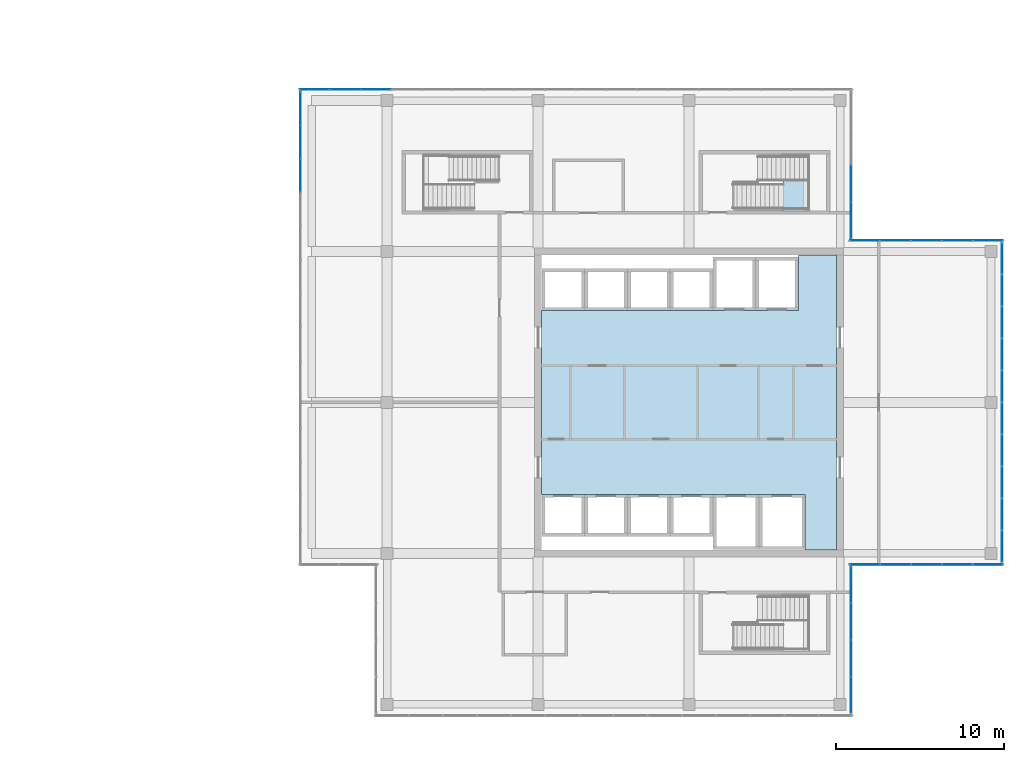
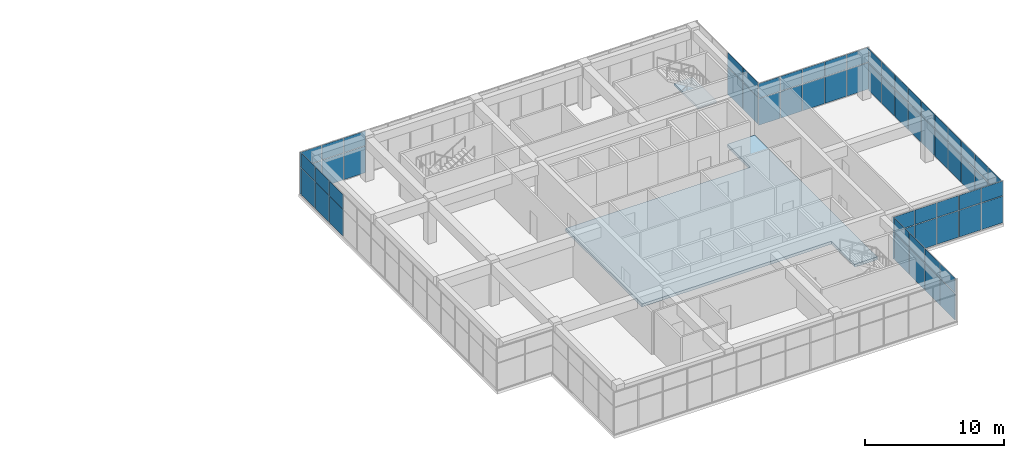
# One storey, part 35 of 43: 64 plates, 2 slabs, 8 elements without a shape of their own.
"""IFC4 building model written with IfcOpenShell, lengths in metres."""

from ifc_helpers import new_model, si_unit, direction, frame, origin, origin_2d, place, context, subcontext, project, spatial, polyline, rectangle, outline, extrude, material, layer, layer_set, type_object, element, aggregate, save


model = new_model("IFC4")

# Units and contexts
model_context = context("Model", 3, precision=1e-05, world=origin(), true_north=direction((0.0, 1.0)))
body_context = subcontext(model_context, "Body", "Model", "MODEL_VIEW")
ifc_project = project(units=[si_unit("LENGTHUNIT", "METRE"), si_unit("AREAUNIT", "SQUARE_METRE"), si_unit("VOLUMEUNIT", "CUBIC_METRE"), si_unit("PLANEANGLEUNIT", "RADIAN"), si_unit("MASSUNIT", "GRAM", prefix="KILO")], contexts=[model_context])

# Site, building, storey
site_placement = place(None, origin())
site = spatial("IfcSite", under=ifc_project, at=site_placement, CompositionType="ELEMENT")
building_placement = place(site_placement, origin())
building = spatial("IfcBuilding", under=site, at=building_placement, Name="Tuart Plaza Theatre", CompositionType="ELEMENT")
storey_placement = place(building_placement, frame((0.0, 0.0, 33.5)))
storey = spatial("IfcBuildingStorey", under=building, at=storey_placement, Name="L08", CompositionType="ELEMENT", Elevation=33.5)

# Curtain wall, plates
ifc_material_1 = material(Name="Aluminium and glass", Category="aluminium")
ifc_layer_1 = layer(ifc_material_1, 0.10009765625)
ifc_layer_set_1 = layer_set([ifc_layer_1], Name="CURTAIN WALL 2000 module")
curtain_wall_type_1 = type_object("IfcCurtainWallType", Name="CURTAIN WALL 2000 module", PredefinedType="NOTDEFINED", material=ifc_layer_set_1)
curtain_wall_1_placement = place(storey_placement, origin())
curtain_wall_1 = element("IfcCurtainWall", 1, at=curtain_wall_1_placement, inside=storey, type_object=curtain_wall_type_1, Name="CW90", PredefinedType="NOTDEFINED")
ifc_material_2 = material(Name="Glass", Category="glass")
ifc_layer_2 = layer(ifc_material_2, 0.028076171875)
ifc_layer_set_2 = layer_set([ifc_layer_2], Name="CURTAIN PANEL double glazed 28")
plate_type = type_object("IfcPlateType", Name="CURTAIN PANEL double glazed 28", PredefinedType="CURTAIN_PANEL", material=ifc_layer_set_2)
plate_1_placement = place(storey_placement, frame((141.64990234375, 56.5625, 0.0498046875), z_axis=(0.0, 0.0, 1.0), x_axis=(0.0, 1.0, 0.0)))
plate_1 = element("IfcPlate", 2, at=plate_1_placement, type_object=plate_type, Name="CW90 panel 1.1", PredefinedType="CURTAIN_PANEL", context=body_context, shape_type="SweptSolid", body=[
    extrude(rectangle(XDim=2.125, YDim=0.028076171875, at=origin_2d()), origin(), (0.0, 0.0, 1.0), 2.324951171875),
])
plate_2_placement = place(storey_placement, frame((141.64990234375, 56.5625, 2.425048828125), z_axis=(0.0, 0.0, 1.0), x_axis=(0.0, 1.0, 0.0)))
plate_2 = element("IfcPlate", 3, at=plate_2_placement, type_object=plate_type, Name="CW90 panel 1.2", PredefinedType="CURTAIN_PANEL", context=body_context, shape_type="SweptSolid", body=[
    extrude(rectangle(XDim=2.125, YDim=0.028076171875, at=origin_2d()), origin(), (0.0, 0.0, 1.0), 1.27490234375),
])
plate_3_placement = place(storey_placement, frame((141.64990234375, 58.75, 0.0498046875), z_axis=(0.0, 0.0, 1.0), x_axis=(0.0, 1.0, 0.0)))
plate_3 = element("IfcPlate", 4, at=plate_3_placement, type_object=plate_type, Name="CW90 panel 2.1", PredefinedType="CURTAIN_PANEL", context=body_context, shape_type="SweptSolid", body=[
    extrude(rectangle(XDim=2.14990234375, YDim=0.028076171875, at=origin_2d()), origin(), (0.0, 0.0, 1.0), 2.324951171875),
])
plate_4_placement = place(storey_placement, frame((141.64990234375, 58.75, 2.425048828125), z_axis=(0.0, 0.0, 1.0), x_axis=(0.0, 1.0, 0.0)))
plate_4 = element("IfcPlate", 5, at=plate_4_placement, type_object=plate_type, Name="CW90 panel 2.2", PredefinedType="CURTAIN_PANEL", context=body_context, shape_type="SweptSolid", body=[
    extrude(rectangle(XDim=2.14990234375, YDim=0.028076171875, at=origin_2d()), origin(), (0.0, 0.0, 1.0), 1.27490234375),
])
plate_5_placement = place(storey_placement, frame((141.64990234375, 60.949951171875, 0.0498046875), z_axis=(0.0, 0.0, 1.0), x_axis=(0.0, 1.0, 0.0)))
plate_5 = element("IfcPlate", 6, at=plate_5_placement, type_object=plate_type, Name="CW90 panel 3.1", PredefinedType="CURTAIN_PANEL", context=body_context, shape_type="SweptSolid", body=[
    extrude(rectangle(XDim=2.14990234375, YDim=0.028076171875, at=origin_2d()), origin(), (0.0, 0.0, 1.0), 2.324951171875),
])
plate_6_placement = place(storey_placement, frame((141.64990234375, 60.949951171875, 2.425048828125), z_axis=(0.0, 0.0, 1.0), x_axis=(0.0, 1.0, 0.0)))
plate_6 = element("IfcPlate", 7, at=plate_6_placement, type_object=plate_type, Name="CW90 panel 3.2", PredefinedType="CURTAIN_PANEL", context=body_context, shape_type="SweptSolid", body=[
    extrude(rectangle(XDim=2.14990234375, YDim=0.028076171875, at=origin_2d()), origin(), (0.0, 0.0, 1.0), 1.27490234375),
])
plate_7_placement = place(storey_placement, frame((141.64990234375, 63.137451171875, 0.0498046875), z_axis=(0.0, 0.0, 1.0), x_axis=(0.0, 1.0, 0.0)))
plate_7 = element("IfcPlate", 8, at=plate_7_placement, type_object=plate_type, Name="CW90 panel 4.1", PredefinedType="CURTAIN_PANEL", context=body_context, shape_type="SweptSolid", body=[
    extrude(rectangle(XDim=2.125, YDim=0.028076171875, at=origin_2d()), origin(), (0.0, 0.0, 1.0), 2.324951171875),
])
plate_8_placement = place(storey_placement, frame((141.64990234375, 63.137451171875, 2.425048828125), z_axis=(0.0, 0.0, 1.0), x_axis=(0.0, 1.0, 0.0)))
plate_8 = element("IfcPlate", 9, at=plate_8_placement, type_object=plate_type, Name="CW90 panel 4.2", PredefinedType="CURTAIN_PANEL", context=body_context, shape_type="SweptSolid", body=[
    extrude(rectangle(XDim=2.125, YDim=0.028076171875, at=origin_2d()), origin(), (0.0, 0.0, 1.0), 1.27490234375),
])
aggregate(curtain_wall_1, [plate_1, plate_2, plate_3, plate_4, plate_5, plate_6, plate_7, plate_8])

curtain_wall_2_placement = place(storey_placement, origin())
curtain_wall_2 = element("IfcCurtainWall", 10, at=curtain_wall_2_placement, inside=storey, type_object=curtain_wall_type_1, Name="CW91", PredefinedType="NOTDEFINED")
plate_9_placement = place(storey_placement, frame((142.482421875, 64.35009765625, 0.0498046875), z_axis=(0.0, 0.0, 1.0), x_axis=(1.0, 0.0, 0.0)))
plate_9 = element("IfcPlate", 11, at=plate_9_placement, type_object=plate_type, Name="CW91 panel 1.1", PredefinedType="CURTAIN_PANEL", context=body_context, shape_type="SweptSolid", body=[
    extrude(rectangle(XDim=1.764892578125, YDim=0.028076171875, at=origin_2d()), origin(), (0.0, 0.0, 1.0), 2.324951171875),
])
plate_10_placement = place(storey_placement, frame((142.482421875, 64.35009765625, 2.425048828125), z_axis=(0.0, 0.0, 1.0), x_axis=(1.0, 0.0, 0.0)))
plate_10 = element("IfcPlate", 12, at=plate_10_placement, type_object=plate_type, Name="CW91 panel 1.2", PredefinedType="CURTAIN_PANEL", context=body_context, shape_type="SweptSolid", body=[
    extrude(rectangle(XDim=1.764892578125, YDim=0.028076171875, at=origin_2d()), origin(), (0.0, 0.0, 1.0), 1.27490234375),
])
plate_11_placement = place(storey_placement, frame((144.31005859375, 64.35009765625, 0.0498046875), z_axis=(0.0, 0.0, 1.0), x_axis=(1.0, 0.0, 0.0)))
plate_11 = element("IfcPlate", 13, at=plate_11_placement, type_object=plate_type, Name="CW91 panel 2.1", PredefinedType="CURTAIN_PANEL", context=body_context, shape_type="SweptSolid", body=[
    extrude(rectangle(XDim=1.7900390625, YDim=0.028076171875, at=origin_2d()), origin(), (0.0, 0.0, 1.0), 2.324951171875),
])
plate_12_placement = place(storey_placement, frame((144.31005859375, 64.35009765625, 2.425048828125), z_axis=(0.0, 0.0, 1.0), x_axis=(1.0, 0.0, 0.0)))
plate_12 = element("IfcPlate", 14, at=plate_12_placement, type_object=plate_type, Name="CW91 panel 2.2", PredefinedType="CURTAIN_PANEL", context=body_context, shape_type="SweptSolid", body=[
    extrude(rectangle(XDim=1.7900390625, YDim=0.028076171875, at=origin_2d()), origin(), (0.0, 0.0, 1.0), 1.27490234375),
])
plate_13_placement = place(storey_placement, frame((146.14990234375, 64.35009765625, 0.0498046875), z_axis=(0.0, 0.0, 1.0), x_axis=(1.0, 0.0, 0.0)))
plate_13 = element("IfcPlate", 15, at=plate_13_placement, type_object=plate_type, Name="CW91 panel 3.1", PredefinedType="CURTAIN_PANEL", context=body_context, shape_type="SweptSolid", body=[
    extrude(rectangle(XDim=1.7900390625, YDim=0.028076171875, at=origin_2d()), origin(), (0.0, 0.0, 1.0), 2.324951171875),
])
plate_14_placement = place(storey_placement, frame((146.14990234375, 64.35009765625, 2.425048828125), z_axis=(0.0, 0.0, 1.0), x_axis=(1.0, 0.0, 0.0)))
plate_14 = element("IfcPlate", 16, at=plate_14_placement, type_object=plate_type, Name="CW91 panel 3.2", PredefinedType="CURTAIN_PANEL", context=body_context, shape_type="SweptSolid", body=[
    extrude(rectangle(XDim=1.7900390625, YDim=0.028076171875, at=origin_2d()), origin(), (0.0, 0.0, 1.0), 1.27490234375),
])
plate_15_placement = place(storey_placement, frame((147.989990234375, 64.35009765625, 0.0498046875), z_axis=(0.0, 0.0, 1.0), x_axis=(1.0, 0.0, 0.0)))
plate_15 = element("IfcPlate", 17, at=plate_15_placement, type_object=plate_type, Name="CW91 panel 4.1", PredefinedType="CURTAIN_PANEL", context=body_context, shape_type="SweptSolid", body=[
    extrude(rectangle(XDim=1.7900390625, YDim=0.028076171875, at=origin_2d()), origin(), (0.0, 0.0, 1.0), 2.324951171875),
])
plate_16_placement = place(storey_placement, frame((147.989990234375, 64.35009765625, 2.425048828125), z_axis=(0.0, 0.0, 1.0), x_axis=(1.0, 0.0, 0.0)))
plate_16 = element("IfcPlate", 18, at=plate_16_placement, type_object=plate_type, Name="CW91 panel 4.2", PredefinedType="CURTAIN_PANEL", context=body_context, shape_type="SweptSolid", body=[
    extrude(rectangle(XDim=1.7900390625, YDim=0.028076171875, at=origin_2d()), origin(), (0.0, 0.0, 1.0), 1.27490234375),
])
plate_17_placement = place(storey_placement, frame((149.8173828125, 64.35009765625, 0.0498046875), z_axis=(0.0, 0.0, 1.0), x_axis=(1.0, 0.0, 0.0)))
plate_17 = element("IfcPlate", 19, at=plate_17_placement, type_object=plate_type, Name="CW91 panel 5.1", PredefinedType="CURTAIN_PANEL", context=body_context, shape_type="SweptSolid", body=[
    extrude(rectangle(XDim=1.764892578125, YDim=0.028076171875, at=origin_2d()), origin(), (0.0, 0.0, 1.0), 2.324951171875),
])
plate_18_placement = place(storey_placement, frame((149.8173828125, 64.35009765625, 2.425048828125), z_axis=(0.0, 0.0, 1.0), x_axis=(1.0, 0.0, 0.0)))
plate_18 = element("IfcPlate", 20, at=plate_18_placement, type_object=plate_type, Name="CW91 panel 5.2", PredefinedType="CURTAIN_PANEL", context=body_context, shape_type="SweptSolid", body=[
    extrude(rectangle(XDim=1.764892578125, YDim=0.028076171875, at=origin_2d()), origin(), (0.0, 0.0, 1.0), 1.27490234375),
])
aggregate(curtain_wall_2, [plate_9, plate_10, plate_11, plate_12, plate_13, plate_14, plate_15, plate_16, plate_17, plate_18])

curtain_wall_3_placement = place(storey_placement, origin())
curtain_wall_3 = element("IfcCurtainWall", 21, at=curtain_wall_3_placement, inside=storey, type_object=curtain_wall_type_1, Name="CW92", PredefinedType="NOTDEFINED")
plate_19_placement = place(storey_placement, frame((150.64990234375, 65.41748046875, 0.0498046875), z_axis=(0.0, 0.0, 1.0), x_axis=(0.0, 1.0, 0.0)))
plate_19 = element("IfcPlate", 22, at=plate_19_placement, type_object=plate_type, Name="CW92 panel 1.1", PredefinedType="CURTAIN_PANEL", context=body_context, shape_type="SweptSolid", body=[
    extrude(rectangle(XDim=1.8349609375, YDim=0.028076171875, at=origin_2d()), origin(), (0.0, 0.0, 1.0), 2.324951171875),
])
plate_20_placement = place(storey_placement, frame((150.64990234375, 65.41748046875, 2.425048828125), z_axis=(0.0, 0.0, 1.0), x_axis=(0.0, 1.0, 0.0)))
plate_20 = element("IfcPlate", 23, at=plate_20_placement, type_object=plate_type, Name="CW92 panel 1.2", PredefinedType="CURTAIN_PANEL", context=body_context, shape_type="SweptSolid", body=[
    extrude(rectangle(XDim=1.8349609375, YDim=0.028076171875, at=origin_2d()), origin(), (0.0, 0.0, 1.0), 1.27490234375),
])
plate_21_placement = place(storey_placement, frame((150.64990234375, 67.31494140625, 0.0498046875), z_axis=(0.0, 0.0, 1.0), x_axis=(0.0, 1.0, 0.0)))
plate_21 = element("IfcPlate", 24, at=plate_21_placement, type_object=plate_type, Name="CW92 panel 2.1", PredefinedType="CURTAIN_PANEL", context=body_context, shape_type="SweptSolid", body=[
    extrude(rectangle(XDim=1.860107421875, YDim=0.028076171875, at=origin_2d()), origin(), (0.0, 0.0, 1.0), 2.324951171875),
])
plate_22_placement = place(storey_placement, frame((150.64990234375, 67.31494140625, 2.425048828125), z_axis=(0.0, 0.0, 1.0), x_axis=(0.0, 1.0, 0.0)))
plate_22 = element("IfcPlate", 25, at=plate_22_placement, type_object=plate_type, Name="CW92 panel 2.2", PredefinedType="CURTAIN_PANEL", context=body_context, shape_type="SweptSolid", body=[
    extrude(rectangle(XDim=1.860107421875, YDim=0.028076171875, at=origin_2d()), origin(), (0.0, 0.0, 1.0), 1.27490234375),
])
plate_23_placement = place(storey_placement, frame((150.64990234375, 69.22509765625, 0.0498046875), z_axis=(0.0, 0.0, 1.0), x_axis=(0.0, 1.0, 0.0)))
plate_23 = element("IfcPlate", 26, at=plate_23_placement, type_object=plate_type, Name="CW92 panel 3.1", PredefinedType="CURTAIN_PANEL", context=body_context, shape_type="SweptSolid", body=[
    extrude(rectangle(XDim=1.860107421875, YDim=0.028076171875, at=origin_2d()), origin(), (0.0, 0.0, 1.0), 2.324951171875),
])
plate_24_placement = place(storey_placement, frame((150.64990234375, 69.22509765625, 2.425048828125), z_axis=(0.0, 0.0, 1.0), x_axis=(0.0, 1.0, 0.0)))
plate_24 = element("IfcPlate", 27, at=plate_24_placement, type_object=plate_type, Name="CW92 panel 3.2", PredefinedType="CURTAIN_PANEL", context=body_context, shape_type="SweptSolid", body=[
    extrude(rectangle(XDim=1.860107421875, YDim=0.028076171875, at=origin_2d()), origin(), (0.0, 0.0, 1.0), 1.27490234375),
])
plate_25_placement = place(storey_placement, frame((150.64990234375, 71.135009765625, 0.0498046875), z_axis=(0.0, 0.0, 1.0), x_axis=(0.0, 1.0, 0.0)))
plate_25 = element("IfcPlate", 28, at=plate_25_placement, type_object=plate_type, Name="CW92 panel 4.1", PredefinedType="CURTAIN_PANEL", context=body_context, shape_type="SweptSolid", body=[
    extrude(rectangle(XDim=1.860107421875, YDim=0.028076171875, at=origin_2d()), origin(), (0.0, 0.0, 1.0), 2.324951171875),
])
plate_26_placement = place(storey_placement, frame((150.64990234375, 71.135009765625, 2.425048828125), z_axis=(0.0, 0.0, 1.0), x_axis=(0.0, 1.0, 0.0)))
plate_26 = element("IfcPlate", 29, at=plate_26_placement, type_object=plate_type, Name="CW92 panel 4.2", PredefinedType="CURTAIN_PANEL", context=body_context, shape_type="SweptSolid", body=[
    extrude(rectangle(XDim=1.860107421875, YDim=0.028076171875, at=origin_2d()), origin(), (0.0, 0.0, 1.0), 1.27490234375),
])
plate_27_placement = place(storey_placement, frame((150.64990234375, 73.044921875, 0.0498046875), z_axis=(0.0, 0.0, 1.0), x_axis=(0.0, 1.0, 0.0)))
plate_27 = element("IfcPlate", 30, at=plate_27_placement, type_object=plate_type, Name="CW92 panel 5.1", PredefinedType="CURTAIN_PANEL", context=body_context, shape_type="SweptSolid", body=[
    extrude(rectangle(XDim=1.860107421875, YDim=0.028076171875, at=origin_2d()), origin(), (0.0, 0.0, 1.0), 2.324951171875),
])
plate_28_placement = place(storey_placement, frame((150.64990234375, 73.044921875, 2.425048828125), z_axis=(0.0, 0.0, 1.0), x_axis=(0.0, 1.0, 0.0)))
plate_28 = element("IfcPlate", 31, at=plate_28_placement, type_object=plate_type, Name="CW92 panel 5.2", PredefinedType="CURTAIN_PANEL", context=body_context, shape_type="SweptSolid", body=[
    extrude(rectangle(XDim=1.860107421875, YDim=0.028076171875, at=origin_2d()), origin(), (0.0, 0.0, 1.0), 1.27490234375),
])
plate_29_placement = place(storey_placement, frame((150.64990234375, 74.955078125, 0.0498046875), z_axis=(0.0, 0.0, 1.0), x_axis=(0.0, 1.0, 0.0)))
plate_29 = element("IfcPlate", 32, at=plate_29_placement, type_object=plate_type, Name="CW92 panel 6.1", PredefinedType="CURTAIN_PANEL", context=body_context, shape_type="SweptSolid", body=[
    extrude(rectangle(XDim=1.860107421875, YDim=0.028076171875, at=origin_2d()), origin(), (0.0, 0.0, 1.0), 2.324951171875),
])
plate_30_placement = place(storey_placement, frame((150.64990234375, 74.955078125, 2.425048828125), z_axis=(0.0, 0.0, 1.0), x_axis=(0.0, 1.0, 0.0)))
plate_30 = element("IfcPlate", 33, at=plate_30_placement, type_object=plate_type, Name="CW92 panel 6.2", PredefinedType="CURTAIN_PANEL", context=body_context, shape_type="SweptSolid", body=[
    extrude(rectangle(XDim=1.860107421875, YDim=0.028076171875, at=origin_2d()), origin(), (0.0, 0.0, 1.0), 1.27490234375),
])
plate_31_placement = place(storey_placement, frame((150.64990234375, 76.864990234375, 0.0498046875), z_axis=(0.0, 0.0, 1.0), x_axis=(0.0, 1.0, 0.0)))
plate_31 = element("IfcPlate", 34, at=plate_31_placement, type_object=plate_type, Name="CW92 panel 7.1", PredefinedType="CURTAIN_PANEL", context=body_context, shape_type="SweptSolid", body=[
    extrude(rectangle(XDim=1.860107421875, YDim=0.028076171875, at=origin_2d()), origin(), (0.0, 0.0, 1.0), 2.324951171875),
])
plate_32_placement = place(storey_placement, frame((150.64990234375, 76.864990234375, 2.425048828125), z_axis=(0.0, 0.0, 1.0), x_axis=(0.0, 1.0, 0.0)))
plate_32 = element("IfcPlate", 35, at=plate_32_placement, type_object=plate_type, Name="CW92 panel 7.2", PredefinedType="CURTAIN_PANEL", context=body_context, shape_type="SweptSolid", body=[
    extrude(rectangle(XDim=1.860107421875, YDim=0.028076171875, at=origin_2d()), origin(), (0.0, 0.0, 1.0), 1.27490234375),
])
plate_33_placement = place(storey_placement, frame((150.64990234375, 78.77490234375, 0.0498046875), z_axis=(0.0, 0.0, 1.0), x_axis=(0.0, 1.0, 0.0)))
plate_33 = element("IfcPlate", 36, at=plate_33_placement, type_object=plate_type, Name="CW92 panel 8.1", PredefinedType="CURTAIN_PANEL", context=body_context, shape_type="SweptSolid", body=[
    extrude(rectangle(XDim=1.860107421875, YDim=0.028076171875, at=origin_2d()), origin(), (0.0, 0.0, 1.0), 2.324951171875),
])
plate_34_placement = place(storey_placement, frame((150.64990234375, 78.77490234375, 2.425048828125), z_axis=(0.0, 0.0, 1.0), x_axis=(0.0, 1.0, 0.0)))
plate_34 = element("IfcPlate", 37, at=plate_34_placement, type_object=plate_type, Name="CW92 panel 8.2", PredefinedType="CURTAIN_PANEL", context=body_context, shape_type="SweptSolid", body=[
    extrude(rectangle(XDim=1.860107421875, YDim=0.028076171875, at=origin_2d()), origin(), (0.0, 0.0, 1.0), 1.27490234375),
])
plate_35_placement = place(storey_placement, frame((150.64990234375, 80.68505859375, 0.0498046875), z_axis=(0.0, 0.0, 1.0), x_axis=(0.0, 1.0, 0.0)))
plate_35 = element("IfcPlate", 38, at=plate_35_placement, type_object=plate_type, Name="CW92 panel 9.1", PredefinedType="CURTAIN_PANEL", context=body_context, shape_type="SweptSolid", body=[
    extrude(rectangle(XDim=1.860107421875, YDim=0.028076171875, at=origin_2d()), origin(), (0.0, 0.0, 1.0), 2.324951171875),
])
plate_36_placement = place(storey_placement, frame((150.64990234375, 80.68505859375, 2.425048828125), z_axis=(0.0, 0.0, 1.0), x_axis=(0.0, 1.0, 0.0)))
plate_36 = element("IfcPlate", 39, at=plate_36_placement, type_object=plate_type, Name="CW92 panel 9.2", PredefinedType="CURTAIN_PANEL", context=body_context, shape_type="SweptSolid", body=[
    extrude(rectangle(XDim=1.860107421875, YDim=0.028076171875, at=origin_2d()), origin(), (0.0, 0.0, 1.0), 1.27490234375),
])
plate_37_placement = place(storey_placement, frame((150.64990234375, 82.58251953125, 0.0498046875), z_axis=(0.0, 0.0, 1.0), x_axis=(0.0, 1.0, 0.0)))
plate_37 = element("IfcPlate", 40, at=plate_37_placement, type_object=plate_type, Name="CW92 panel 10.1", PredefinedType="CURTAIN_PANEL", context=body_context, shape_type="SweptSolid", body=[
    extrude(rectangle(XDim=1.8349609375, YDim=0.028076171875, at=origin_2d()), origin(), (0.0, 0.0, 1.0), 2.324951171875),
])
plate_38_placement = place(storey_placement, frame((150.64990234375, 82.58251953125, 2.425048828125), z_axis=(0.0, 0.0, 1.0), x_axis=(0.0, 1.0, 0.0)))
plate_38 = element("IfcPlate", 41, at=plate_38_placement, type_object=plate_type, Name="CW92 panel 10.2", PredefinedType="CURTAIN_PANEL", context=body_context, shape_type="SweptSolid", body=[
    extrude(rectangle(XDim=1.8349609375, YDim=0.028076171875, at=origin_2d()), origin(), (0.0, 0.0, 1.0), 1.27490234375),
])
aggregate(curtain_wall_3, [plate_19, plate_20, plate_21, plate_22, plate_23, plate_24, plate_25, plate_26, plate_27, plate_28, plate_29, plate_30, plate_31, plate_32, plate_33, plate_34, plate_35, plate_36, plate_37, plate_38])

curtain_wall_4_placement = place(storey_placement, origin())
curtain_wall_4 = element("IfcCurtainWall", 42, at=curtain_wall_4_placement, inside=storey, type_object=curtain_wall_type_1, Name="CW93", PredefinedType="NOTDEFINED")
plate_39_placement = place(storey_placement, frame((149.8173828125, 83.64990234375, 0.0498046875), z_axis=(0.0, 0.0, 1.0), x_axis=(-1.0, 0.0, 0.0)))
plate_39 = element("IfcPlate", 43, at=plate_39_placement, type_object=plate_type, Name="CW93 panel 1.1", PredefinedType="CURTAIN_PANEL", context=body_context, shape_type="SweptSolid", body=[
    extrude(rectangle(XDim=1.764892578125, YDim=0.028076171875, at=origin_2d()), origin(), (0.0, 0.0, 1.0), 2.324951171875),
])
plate_40_placement = place(storey_placement, frame((149.8173828125, 83.64990234375, 2.425048828125), z_axis=(0.0, 0.0, 1.0), x_axis=(-1.0, 0.0, 0.0)))
plate_40 = element("IfcPlate", 44, at=plate_40_placement, type_object=plate_type, Name="CW93 panel 1.2", PredefinedType="CURTAIN_PANEL", context=body_context, shape_type="SweptSolid", body=[
    extrude(rectangle(XDim=1.764892578125, YDim=0.028076171875, at=origin_2d()), origin(), (0.0, 0.0, 1.0), 1.27490234375),
])
plate_41_placement = place(storey_placement, frame((147.989990234375, 83.64990234375, 0.0498046875), z_axis=(0.0, 0.0, 1.0), x_axis=(-1.0, 0.0, 0.0)))
plate_41 = element("IfcPlate", 45, at=plate_41_placement, type_object=plate_type, Name="CW93 panel 2.1", PredefinedType="CURTAIN_PANEL", context=body_context, shape_type="SweptSolid", body=[
    extrude(rectangle(XDim=1.7900390625, YDim=0.028076171875, at=origin_2d()), origin(), (0.0, 0.0, 1.0), 2.324951171875),
])
plate_42_placement = place(storey_placement, frame((147.989990234375, 83.64990234375, 2.425048828125), z_axis=(0.0, 0.0, 1.0), x_axis=(-1.0, 0.0, 0.0)))
plate_42 = element("IfcPlate", 46, at=plate_42_placement, type_object=plate_type, Name="CW93 panel 2.2", PredefinedType="CURTAIN_PANEL", context=body_context, shape_type="SweptSolid", body=[
    extrude(rectangle(XDim=1.7900390625, YDim=0.028076171875, at=origin_2d()), origin(), (0.0, 0.0, 1.0), 1.27490234375),
])
plate_43_placement = place(storey_placement, frame((146.14990234375, 83.64990234375, 0.0498046875), z_axis=(0.0, 0.0, 1.0), x_axis=(-1.0, 0.0, 0.0)))
plate_43 = element("IfcPlate", 47, at=plate_43_placement, type_object=plate_type, Name="CW93 panel 3.1", PredefinedType="CURTAIN_PANEL", context=body_context, shape_type="SweptSolid", body=[
    extrude(rectangle(XDim=1.7900390625, YDim=0.028076171875, at=origin_2d()), origin(), (0.0, 0.0, 1.0), 2.324951171875),
])
plate_44_placement = place(storey_placement, frame((146.14990234375, 83.64990234375, 2.425048828125), z_axis=(0.0, 0.0, 1.0), x_axis=(-1.0, 0.0, 0.0)))
plate_44 = element("IfcPlate", 48, at=plate_44_placement, type_object=plate_type, Name="CW93 panel 3.2", PredefinedType="CURTAIN_PANEL", context=body_context, shape_type="SweptSolid", body=[
    extrude(rectangle(XDim=1.7900390625, YDim=0.028076171875, at=origin_2d()), origin(), (0.0, 0.0, 1.0), 1.27490234375),
])
plate_45_placement = place(storey_placement, frame((144.31005859375, 83.64990234375, 0.0498046875), z_axis=(0.0, 0.0, 1.0), x_axis=(-1.0, 0.0, 0.0)))
plate_45 = element("IfcPlate", 49, at=plate_45_placement, type_object=plate_type, Name="CW93 panel 4.1", PredefinedType="CURTAIN_PANEL", context=body_context, shape_type="SweptSolid", body=[
    extrude(rectangle(XDim=1.7900390625, YDim=0.028076171875, at=origin_2d()), origin(), (0.0, 0.0, 1.0), 2.324951171875),
])
plate_46_placement = place(storey_placement, frame((144.31005859375, 83.64990234375, 2.425048828125), z_axis=(0.0, 0.0, 1.0), x_axis=(-1.0, 0.0, 0.0)))
plate_46 = element("IfcPlate", 50, at=plate_46_placement, type_object=plate_type, Name="CW93 panel 4.2", PredefinedType="CURTAIN_PANEL", context=body_context, shape_type="SweptSolid", body=[
    extrude(rectangle(XDim=1.7900390625, YDim=0.028076171875, at=origin_2d()), origin(), (0.0, 0.0, 1.0), 1.27490234375),
])
plate_47_placement = place(storey_placement, frame((142.482421875, 83.64990234375, 0.0498046875), z_axis=(0.0, 0.0, 1.0), x_axis=(-1.0, 0.0, 0.0)))
plate_47 = element("IfcPlate", 51, at=plate_47_placement, type_object=plate_type, Name="CW93 panel 5.1", PredefinedType="CURTAIN_PANEL", context=body_context, shape_type="SweptSolid", body=[
    extrude(rectangle(XDim=1.764892578125, YDim=0.028076171875, at=origin_2d()), origin(), (0.0, 0.0, 1.0), 2.324951171875),
])
plate_48_placement = place(storey_placement, frame((142.482421875, 83.64990234375, 2.425048828125), z_axis=(0.0, 0.0, 1.0), x_axis=(-1.0, 0.0, 0.0)))
plate_48 = element("IfcPlate", 52, at=plate_48_placement, type_object=plate_type, Name="CW93 panel 5.2", PredefinedType="CURTAIN_PANEL", context=body_context, shape_type="SweptSolid", body=[
    extrude(rectangle(XDim=1.764892578125, YDim=0.028076171875, at=origin_2d()), origin(), (0.0, 0.0, 1.0), 1.27490234375),
])
aggregate(curtain_wall_4, [plate_39, plate_40, plate_41, plate_42, plate_43, plate_44, plate_45, plate_46, plate_47, plate_48])

curtain_wall_5_placement = place(storey_placement, origin())
curtain_wall_5 = element("IfcCurtainWall", 53, at=curtain_wall_5_placement, inside=storey, type_object=curtain_wall_type_1, Name="CW94", PredefinedType="NOTDEFINED")
plate_49_placement = place(storey_placement, frame((141.64990234375, 84.862548828125, 0.0498046875), z_axis=(0.0, 0.0, 1.0), x_axis=(0.0, 1.0, 0.0)))
plate_49 = element("IfcPlate", 54, at=plate_49_placement, type_object=plate_type, Name="CW94 panel 1.1", PredefinedType="CURTAIN_PANEL", context=body_context, shape_type="SweptSolid", body=[
    extrude(rectangle(XDim=2.125, YDim=0.028076171875, at=origin_2d()), origin(), (0.0, 0.0, 1.0), 2.324951171875),
])
plate_50_placement = place(storey_placement, frame((141.64990234375, 84.862548828125, 2.425048828125), z_axis=(0.0, 0.0, 1.0), x_axis=(0.0, 1.0, 0.0)))
plate_50 = element("IfcPlate", 55, at=plate_50_placement, type_object=plate_type, Name="CW94 panel 1.2", PredefinedType="CURTAIN_PANEL", context=body_context, shape_type="SweptSolid", body=[
    extrude(rectangle(XDim=2.125, YDim=0.028076171875, at=origin_2d()), origin(), (0.0, 0.0, 1.0), 1.27490234375),
])
plate_51_placement = place(storey_placement, frame((141.64990234375, 87.050048828125, 0.0498046875), z_axis=(0.0, 0.0, 1.0), x_axis=(0.0, 1.0, 0.0)))
plate_51 = element("IfcPlate", 56, at=plate_51_placement, type_object=plate_type, Name="CW94 panel 2.1", PredefinedType="CURTAIN_PANEL", context=body_context, shape_type="SweptSolid", body=[
    extrude(rectangle(XDim=2.14990234375, YDim=0.028076171875, at=origin_2d()), origin(), (0.0, 0.0, 1.0), 2.324951171875),
])
plate_52_placement = place(storey_placement, frame((141.64990234375, 87.050048828125, 2.425048828125), z_axis=(0.0, 0.0, 1.0), x_axis=(0.0, 1.0, 0.0)))
plate_52 = element("IfcPlate", 57, at=plate_52_placement, type_object=plate_type, Name="CW94 panel 2.2", PredefinedType="CURTAIN_PANEL", context=body_context, shape_type="SweptSolid", body=[
    extrude(rectangle(XDim=2.14990234375, YDim=0.028076171875, at=origin_2d()), origin(), (0.0, 0.0, 1.0), 1.27490234375),
])
aggregate(curtain_wall_5, [plate_49, plate_50, plate_51, plate_52])

ifc_material_3 = material(Name="Aluminium and glass", Category="aluminium")
ifc_layer_3 = layer(ifc_material_3, 0.10009765625)
ifc_layer_set_3 = layer_set([ifc_layer_3], Name="CURTAIN WALL 1800 module")
curtain_wall_type_2 = type_object("IfcCurtainWallType", Name="CURTAIN WALL 1800 module", PredefinedType="NOTDEFINED", material=ifc_layer_set_3)
curtain_wall_6_placement = place(storey_placement, origin())
curtain_wall_6 = element("IfcCurtainWall", 58, at=curtain_wall_6_placement, inside=storey, type_object=curtain_wall_type_2, Name="CW95", PredefinedType="NOTDEFINED")
plate_53_placement = place(storey_placement, frame((113.333251953125, 92.64990234375, 0.0498046875), z_axis=(0.0, 0.0, 1.0), x_axis=(-1.0, 0.0, 0.0)))
plate_53 = element("IfcPlate", 59, at=plate_53_placement, type_object=plate_type, Name="CW95 panel 16.1", PredefinedType="CURTAIN_PANEL", context=body_context, shape_type="SweptSolid", body=[
    extrude(rectangle(XDim=1.783447265625, YDim=0.028076171875, at=origin_2d()), origin(), (0.0, 0.0, 1.0), 2.324951171875),
])
plate_54_placement = place(storey_placement, frame((113.333251953125, 92.64990234375, 2.425048828125), z_axis=(0.0, 0.0, 1.0), x_axis=(-1.0, 0.0, 0.0)))
plate_54 = element("IfcPlate", 60, at=plate_54_placement, type_object=plate_type, Name="CW95 panel 16.2", PredefinedType="CURTAIN_PANEL", context=body_context, shape_type="SweptSolid", body=[
    extrude(rectangle(XDim=1.783447265625, YDim=0.028076171875, at=origin_2d()), origin(), (0.0, 0.0, 1.0), 1.27490234375),
])
plate_55_placement = place(storey_placement, frame((111.5, 92.64990234375, 0.0498046875), z_axis=(0.0, 0.0, 1.0), x_axis=(-1.0, 0.0, 0.0)))
plate_55 = element("IfcPlate", 61, at=plate_55_placement, type_object=plate_type, Name="CW95 panel 17.1", PredefinedType="CURTAIN_PANEL", context=body_context, shape_type="SweptSolid", body=[
    extrude(rectangle(XDim=1.783447265625, YDim=0.028076171875, at=origin_2d()), origin(), (0.0, 0.0, 1.0), 2.324951171875),
])
plate_56_placement = place(storey_placement, frame((111.5, 92.64990234375, 2.425048828125), z_axis=(0.0, 0.0, 1.0), x_axis=(-1.0, 0.0, 0.0)))
plate_56 = element("IfcPlate", 62, at=plate_56_placement, type_object=plate_type, Name="CW95 panel 17.2", PredefinedType="CURTAIN_PANEL", context=body_context, shape_type="SweptSolid", body=[
    extrude(rectangle(XDim=1.783447265625, YDim=0.028076171875, at=origin_2d()), origin(), (0.0, 0.0, 1.0), 1.27490234375),
])
plate_57_placement = place(storey_placement, frame((109.67919921875, 92.64990234375, 0.0498046875), z_axis=(0.0, 0.0, 1.0), x_axis=(-1.0, 0.0, 0.0)))
plate_57 = element("IfcPlate", 63, at=plate_57_placement, type_object=plate_type, Name="CW95 panel 18.1", PredefinedType="CURTAIN_PANEL", context=body_context, shape_type="SweptSolid", body=[
    extrude(rectangle(XDim=1.75830078125, YDim=0.028076171875, at=origin_2d()), origin(), (0.0, 0.0, 1.0), 2.324951171875),
])
plate_58_placement = place(storey_placement, frame((109.67919921875, 92.64990234375, 2.425048828125), z_axis=(0.0, 0.0, 1.0), x_axis=(-1.0, 0.0, 0.0)))
plate_58 = element("IfcPlate", 64, at=plate_58_placement, type_object=plate_type, Name="CW95 panel 18.2", PredefinedType="CURTAIN_PANEL", context=body_context, shape_type="SweptSolid", body=[
    extrude(rectangle(XDim=1.75830078125, YDim=0.028076171875, at=origin_2d()), origin(), (0.0, 0.0, 1.0), 1.27490234375),
])
aggregate(curtain_wall_6, [plate_53, plate_54, plate_55, plate_56, plate_57, plate_58])

curtain_wall_7_placement = place(storey_placement, origin())
curtain_wall_7 = element("IfcCurtainWall", 65, at=curtain_wall_7_placement, inside=storey, type_object=curtain_wall_type_1, Name="CW97", PredefinedType="NOTDEFINED")
plate_59_placement = place(storey_placement, frame((108.85009765625, 91.533935546875, 0.0498046875), z_axis=(0.0, 0.0, 1.0), x_axis=(0.0, -1.0, 0.0)))
plate_59 = element("IfcPlate", 66, at=plate_59_placement, type_object=plate_type, Name="CW97 panel 1.1", PredefinedType="CURTAIN_PANEL", context=body_context, shape_type="SweptSolid", body=[
    extrude(rectangle(XDim=1.93212890625, YDim=0.028076171875, at=origin_2d()), origin(), (0.0, 0.0, 1.0), 2.324951171875),
])
plate_60_placement = place(storey_placement, frame((108.85009765625, 91.533935546875, 2.425048828125), z_axis=(0.0, 0.0, 1.0), x_axis=(0.0, -1.0, 0.0)))
plate_60 = element("IfcPlate", 67, at=plate_60_placement, type_object=plate_type, Name="CW97 panel 1.2", PredefinedType="CURTAIN_PANEL", context=body_context, shape_type="SweptSolid", body=[
    extrude(rectangle(XDim=1.93212890625, YDim=0.028076171875, at=origin_2d()), origin(), (0.0, 0.0, 1.0), 1.27490234375),
])
plate_61_placement = place(storey_placement, frame((108.85009765625, 89.539306640625, 0.0498046875), z_axis=(0.0, 0.0, 1.0), x_axis=(0.0, -1.0, 0.0)))
plate_61 = element("IfcPlate", 68, at=plate_61_placement, type_object=plate_type, Name="CW97 panel 2.1", PredefinedType="CURTAIN_PANEL", context=body_context, shape_type="SweptSolid", body=[
    extrude(rectangle(XDim=1.95703125, YDim=0.028076171875, at=origin_2d()), origin(), (0.0, 0.0, 1.0), 2.324951171875),
])
plate_62_placement = place(storey_placement, frame((108.85009765625, 89.539306640625, 2.425048828125), z_axis=(0.0, 0.0, 1.0), x_axis=(0.0, -1.0, 0.0)))
plate_62 = element("IfcPlate", 69, at=plate_62_placement, type_object=plate_type, Name="CW97 panel 2.2", PredefinedType="CURTAIN_PANEL", context=body_context, shape_type="SweptSolid", body=[
    extrude(rectangle(XDim=1.95703125, YDim=0.028076171875, at=origin_2d()), origin(), (0.0, 0.0, 1.0), 1.27490234375),
])
plate_63_placement = place(storey_placement, frame((108.85009765625, 87.5322265625, 0.0498046875), z_axis=(0.0, 0.0, 1.0), x_axis=(0.0, -1.0, 0.0)))
plate_63 = element("IfcPlate", 70, at=plate_63_placement, type_object=plate_type, Name="CW97 panel 3.1", PredefinedType="CURTAIN_PANEL", context=body_context, shape_type="SweptSolid", body=[
    extrude(rectangle(XDim=1.95703125, YDim=0.028076171875, at=origin_2d()), origin(), (0.0, 0.0, 1.0), 2.324951171875),
])
plate_64_placement = place(storey_placement, frame((108.85009765625, 87.5322265625, 2.425048828125), z_axis=(0.0, 0.0, 1.0), x_axis=(0.0, -1.0, 0.0)))
plate_64 = element("IfcPlate", 71, at=plate_64_placement, type_object=plate_type, Name="CW97 panel 3.2", PredefinedType="CURTAIN_PANEL", context=body_context, shape_type="SweptSolid", body=[
    extrude(rectangle(XDim=1.95703125, YDim=0.028076171875, at=origin_2d()), origin(), (0.0, 0.0, 1.0), 1.27490234375),
])
aggregate(curtain_wall_7, [plate_59, plate_60, plate_61, plate_62, plate_63, plate_64])

# Slab
ifc_material_4 = material(Name="Concrete N40 (40 MPa)", Category="concrete")
ifc_layer_4 = layer(ifc_material_4, 0.25)
ifc_layer_set_4 = layer_set([ifc_layer_4], Name="SLAB Floor 250 Concrete N40 (40 MPa)")
slab_type_1 = type_object("IfcSlabType", Name="SLAB Floor 250 Concrete N40 (40 MPa)", PredefinedType="FLOOR", material=ifc_layer_set_4)
slab_1_placement = place(storey_placement, frame((0.0, 0.0, -0.25)))
element("IfcSlab", 72, at=slab_1_placement, inside=storey, type_object=slab_type_1, Name="S92", PredefinedType="FLOOR", context=body_context, shape_type="SweptSolid", body=[
    extrude(outline(polyline([(140.800048828125, 65.199951171875), (140.800048828125, 82.800048828125), (138.52490234375, 82.800048828125), (138.52490234375, 79.47509765625), (123.199951171875, 79.47509765625), (123.199951171875, 68.52490234375), (138.925048828125, 68.52490234375), (138.925048828125, 65.199951171875), (140.800048828125, 65.199951171875)])), origin(), (0.0, 0.0, 1.0), 0.25),
])

# Stair, slab
ifc_material_5 = material(Name="Concrete N40 (40 MPa)", Category="concrete")
stair_type = type_object("IfcStairType", Name="STAIR half turn 1500", PredefinedType="HALF_TURN_STAIR", material=ifc_material_5)
stair_placement = place(storey_placement, origin())
stair = element("IfcStair", 73, at=stair_placement, inside=storey, type_object=stair_type, Name="SC-10", PredefinedType="HALF_TURN_STAIR")
ifc_material_6 = material(Name="Concrete N40 (40 MPa)", Category="concrete")
ifc_layer_5 = layer(ifc_material_6, 0.199951171875)
ifc_layer_set_5 = layer_set([ifc_layer_5], Name="STAIR LANDING 200")
slab_type_2 = type_object("IfcSlabType", Name="STAIR LANDING 200", PredefinedType="LANDING", material=ifc_layer_set_5)
slab_2_placement = place(storey_placement, frame((0.0, 0.0, 1.800048828125)))
slab_2 = element("IfcSlab", 74, at=slab_2_placement, type_object=slab_type_2, Name="SC-10 landing 1", PredefinedType="LANDING", context=body_context, shape_type="SweptSolid", body=[
    extrude(outline(polyline([(137.60009765625, 85.427001953125), (139.1298828125, 85.427001953125), (139.1298828125, 88.822998046875), (137.60009765625, 88.822998046875), (137.60009765625, 85.427001953125)])), origin(), (0.0, 0.0, 1.0), 0.199951171875),
])
aggregate(stair, [slab_2])

save(model, "model.ifc")
